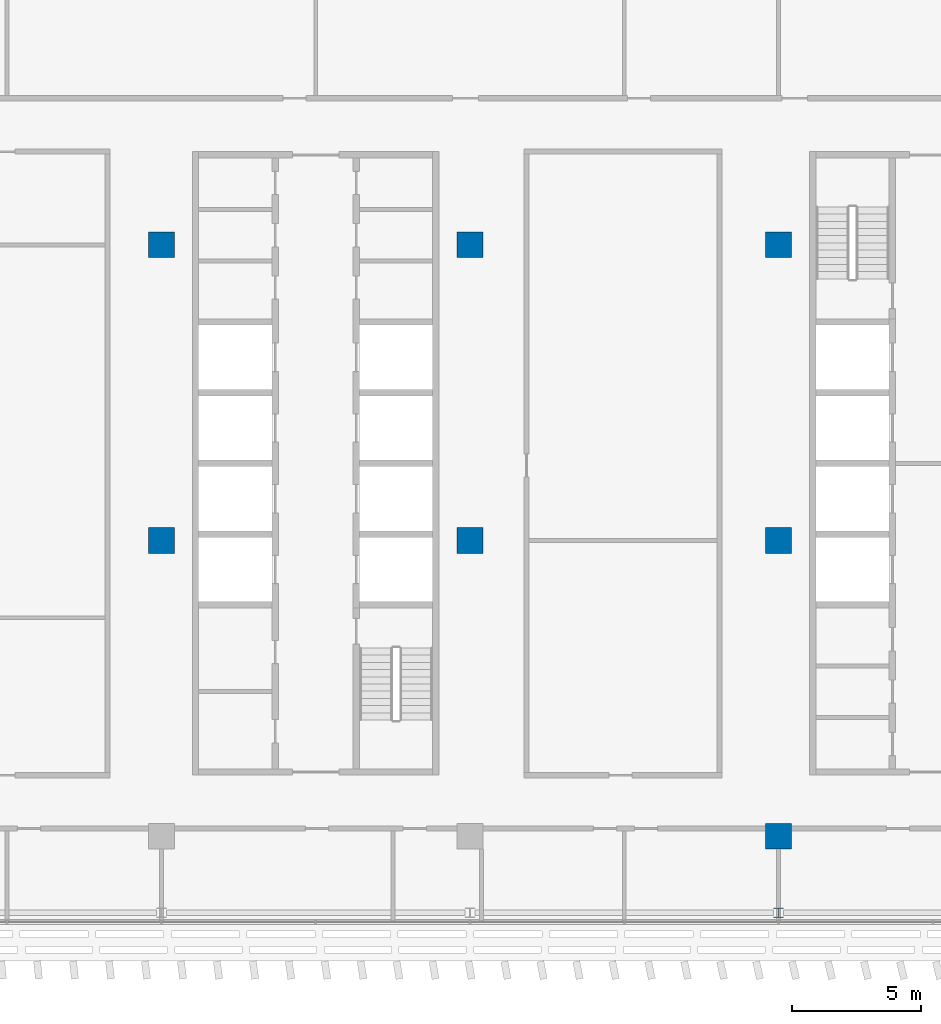
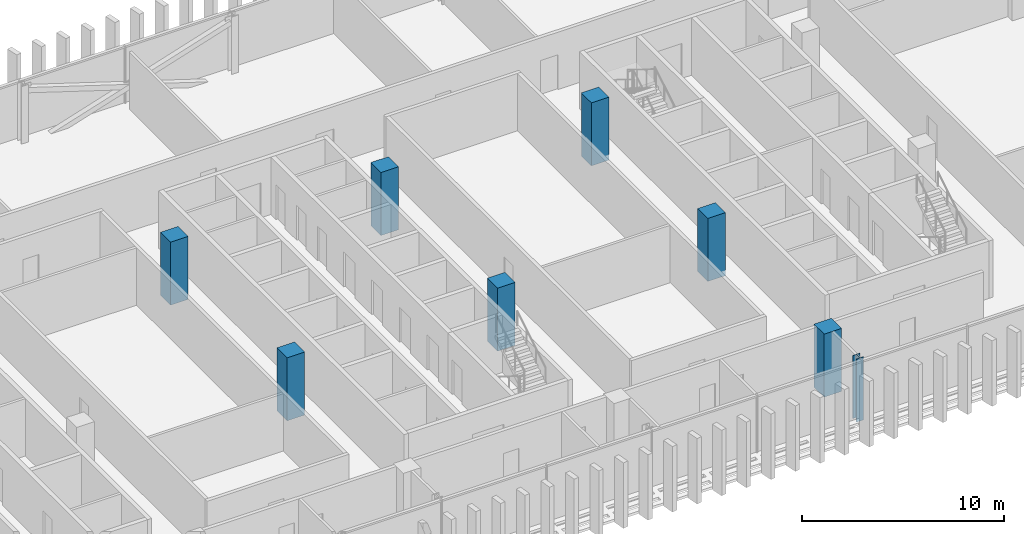
# One storey, part 2 of 35: 8 columns.
"""IFC4 building model written with IfcOpenShell, lengths in metres."""

from ifc_helpers import new_model, si_unit, direction, frame, origin, origin_2d, place, context, subcontext, project, spatial, rectangle, i_section, extrude, material, material_profile, profile_set, type_object, element, save


model = new_model("IFC4")

# Units and contexts
model_context = context("Model", 3, precision=1e-05, world=origin(), true_north=direction((0.0, 1.0)))
body_context = subcontext(model_context, "Body", "Model", "MODEL_VIEW")
ifc_project = project(units=[si_unit("LENGTHUNIT", "METRE"), si_unit("AREAUNIT", "SQUARE_METRE"), si_unit("VOLUMEUNIT", "CUBIC_METRE"), si_unit("PLANEANGLEUNIT", "RADIAN"), si_unit("MASSUNIT", "GRAM", prefix="KILO")], contexts=[model_context])

# Site, building, storey
site_placement = place(None, origin())
site = spatial("IfcSite", under=ifc_project, at=site_placement, CompositionType="ELEMENT")
building_placement = place(site_placement, origin())
building = spatial("IfcBuilding", under=site, at=building_placement, Name="Mahtab Terrace Research Tower", CompositionType="ELEMENT")
storey_placement = place(building_placement, frame((0.0, 0.0, 251.39990234375)))
storey = spatial("IfcBuildingStorey", under=building, at=storey_placement, Name="L61", CompositionType="ELEMENT", Elevation=251.39990234375)

# Columns
ifc_material_1 = material(Name="Concrete C70/85", Category="concrete")
ifc_material_profile_1 = material_profile(ifc_material_1, rectangle(XDim=1.0, YDim=1.0, at=origin_2d()), Name="RC column 1000x1000")
ifc_profile_set_1 = profile_set([ifc_material_profile_1], Name="Concrete C70/85")
column_type_1 = type_object("IfcColumnType", Name="RC column 1000x1000", PredefinedType="COLUMN", material=ifc_profile_set_1)
for number, where, z_axis, x_axis, name in (
    (1, (-6.0, 0.0, -0.33984375), (0.0, 0.0, 1.0), (1.0, 0.0, 0.0), "Column RC-4B L61"),
    (2, (-6.0, 11.5, -0.33984375), (0.0, 0.0, 1.0), (1.0, 0.0, 0.0), "Column RC-4C L61"),
    (3, (6.0, 0.0, -0.33984375), (0.0, 0.0, 1.0), (1.0, 0.0, 0.0), "Column RC-5B L61"),
    (4, (6.0, 11.5, -0.33984375), (0.0, 0.0, 1.0), (1.0, 0.0, 0.0), "Column RC-5C L61"),
    (5, (18.0, -11.5, -0.33984375), (0.0, 0.0, 1.0), (1.0, 0.0, 0.0), "Column RC-6A L61"),
    (6, (18.0, 0.0, -0.33984375), (0.0, 0.0, 1.0), (1.0, 0.0, 0.0), "Column RC-6B L61"),
    (7, (18.0, 11.5, -0.33984375), (0.0, 0.0, 1.0), (1.0, 0.0, 0.0), "Column RC-6C L61"),
):
    element("IfcColumn", number, at=place(storey_placement, frame(where, z_axis=z_axis, x_axis=x_axis)), inside=storey, type_object=column_type_1, Name=name, PredefinedType="COLUMN", context=body_context, shape_type="SweptSolid", body=[
        extrude(rectangle(XDim=1.0, YDim=1.0, at=origin_2d()), origin(), (0.0, 0.0, 1.0), 3.800048828125),
    ])
ifc_material_2 = material(Name="Steel ASTM A992 Gr 50", Category="steel")
ifc_material_profile_2 = material_profile(ifc_material_2, i_section(OverallWidth=0.398681640625, OverallDepth=0.385986328125, WebThickness=0.02099609375, FlangeThickness=0.033203125, at=origin_2d()), Name="W14X176")
ifc_profile_set_2 = profile_set([ifc_material_profile_2], Name="Steel ASTM A992 Gr 50")
column_type_2 = type_object("IfcColumnType", Name="W14x176 column CS14176", PredefinedType="COLUMN", material=ifc_profile_set_2)
column_placement = place(storey_placement, frame((18.0, -14.472900390625, -0.33984375), z_axis=(0.0, 0.0, 1.0), x_axis=(1.0, 0.0, 0.0)))
element("IfcColumn", 8, at=column_placement, inside=storey, type_object=column_type_2, Name="Column SC-066 L61", PredefinedType="COLUMN", context=body_context, shape_type="SweptSolid", body=[
    extrude(i_section(OverallWidth=0.398681640625, OverallDepth=0.385986328125, WebThickness=0.02099609375, FlangeThickness=0.033203125, at=origin_2d()), origin(), (0.0, 0.0, 1.0), 3.800048828125),
])

save(model, "model.ifc")
